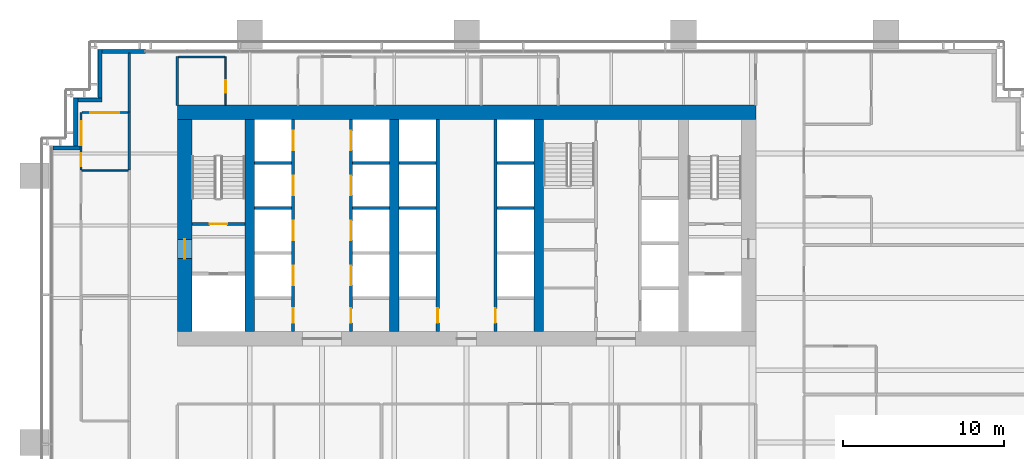
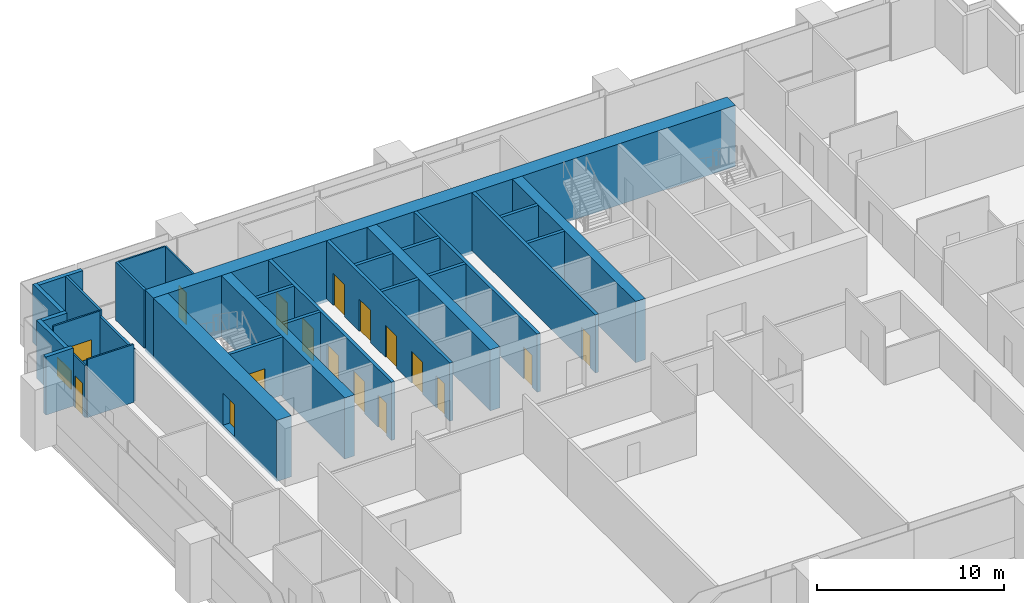
# One storey, part 14 of 19: 31 walls, 16 doors, 2 windows, 18 openings.
"""IFC4 building model written with IfcOpenShell, lengths in metres."""

from ifc_helpers import new_model, si_unit, direction, frame, frame_2d, origin, place, context, subcontext, project, spatial, rectangle, extrude, material, layer, layer_set, type_object, element, fill, save


model = new_model("IFC4")

# Units and contexts
model_context = context("Model", 3, precision=1e-05, world=origin(), true_north=direction((0.0, 1.0)))
body_context = subcontext(model_context, "Body", "Model", "MODEL_VIEW")
ifc_project = project(units=[si_unit("LENGTHUNIT", "METRE"), si_unit("AREAUNIT", "SQUARE_METRE"), si_unit("VOLUMEUNIT", "CUBIC_METRE"), si_unit("PLANEANGLEUNIT", "RADIAN"), si_unit("MASSUNIT", "GRAM", prefix="KILO")], contexts=[model_context])

# Site, building, storey
site_placement = place(None, origin())
site = spatial("IfcSite", under=ifc_project, at=site_placement, CompositionType="ELEMENT")
building_placement = place(site_placement, origin())
building = spatial("IfcBuilding", under=site, at=building_placement, Name="Rattan Terrace Tower", CompositionType="ELEMENT")
storey_placement = place(building_placement, frame((0.0, 0.0, 111.699951171875)))
storey = spatial("IfcBuildingStorey", under=building, at=storey_placement, Name="L25", CompositionType="ELEMENT", Elevation=111.699951171875)

# Wall, opening, door
ifc_material_1 = material(Name="Gypsum board partition")
ifc_layer_1 = layer(ifc_material_1, 0.199951171875)
ifc_layer_set_1 = layer_set([ifc_layer_1], Name="Core partition 200")
wall_type_1 = type_object("IfcWallType", Name="Core partition 200", PredefinedType="PARTITIONING", material=ifc_layer_set_1)
wall_1_placement = place(storey_placement, frame((-17.10009765625, 0.10009765625, 0.0), z_axis=(0.0, 0.0, 1.0), x_axis=(1.0, 0.0, 0.0)))
wall_1 = element("IfcWall", 1, at=wall_1_placement, inside=storey, type_object=wall_type_1, Name="Stair enclosure wall", PredefinedType="PARTITIONING", context=body_context, shape_type="SweptSolid", body=[
    extrude(rectangle(XDim=3.300048828125, YDim=0.199951171875, at=frame_2d((1.64990234375, 0.0))), origin(), (0.0, 0.0, 1.0), 3.800048828125),
])
opening_1_placement = place(wall_1_placement, frame((1.10009765625, 0.0, 0.0)))
opening_1 = element("IfcOpeningElement", 2, at=opening_1_placement, cuts=wall_1, Name="Opening L25-D002", PredefinedType="OPENING", context=body_context, shape_type="SweptSolid", body=[
    extrude(rectangle(XDim=1.10009765625, YDim=2.10009765625, at=frame_2d((0.550048828125, 1.050048828125))), frame((0.0, 0.110595703125, 0.0), z_axis=(0.0, -1.0, 0.0), x_axis=(1.0, 0.0, 0.0)), (0.0, 0.0, 1.0), 0.220947265625),
])
ifc_material_2 = material(Name="Hollow-metal fire door leaf")
door_type_1 = type_object("IfcDoorType", Name="Core stair door 1100", OperationType="NOTDEFINED", PredefinedType="DOOR", material=ifc_material_2)
door_1_placement = place(opening_1_placement, origin())
door_1 = element("IfcDoor", 3, at=door_1_placement, inside=storey, type_object=door_type_1, Name="Door L25-D002", OperationType="SINGLE_SWING_RIGHT", OverallHeight=2.10009765625, OverallWidth=1.10009765625, PredefinedType="DOOR", context=body_context, shape_type="SweptSolid", body=[
    extrude(rectangle(XDim=1.10009765625, YDim=2.10009765625, at=frame_2d((0.550048828125, 1.050048828125))), frame((0.0, 0.02490234375, 0.0), z_axis=(0.0, -1.0, 0.0), x_axis=(1.0, 0.0, 0.0)), (0.0, 0.0, 1.0), 0.050048828125),
])
fill(opening_1, door_1)

# Wall
ifc_material_3 = material(Name="Concrete C70/85", Category="concrete")
ifc_layer_2 = layer(ifc_material_3, 0.89990234375)
ifc_layer_set_2 = layer_set([ifc_layer_2], Name="Core ring wall 900 C70/85")
wall_type_2 = type_object("IfcWallType", Name="Core ring wall 900 C70/85", PredefinedType="SHEAR", material=ifc_layer_set_2)
wall_2_placement = place(storey_placement, frame((-18.0, 7.050048828125, -0.199951171875), z_axis=(0.0, 0.0, 1.0), x_axis=(1.0, 0.0, 0.0)))
element("IfcWall", 4, at=wall_2_placement, inside=storey, type_object=wall_type_2, Name="Rear core wall north", PredefinedType="SHEAR", context=body_context, shape_type="SweptSolid", body=[
    extrude(rectangle(XDim=36.0, YDim=0.89990234375, at=frame_2d((18.0, 0.0))), origin(), (0.0, 0.0, 1.0), 4.0),
])

# Wall, opening, door
wall_3_placement = place(storey_placement, frame((-17.550048828125, -6.60009765625, -0.199951171875), z_axis=(0.0, 0.0, 1.0), x_axis=(0.0, 1.0, 0.0)))
wall_3 = element("IfcWall", 5, at=wall_3_placement, inside=storey, type_object=wall_type_2, Name="Rear core wall west", PredefinedType="SHEAR", context=body_context, shape_type="SweptSolid", body=[
    extrude(rectangle(XDim=13.2001953125, YDim=0.89990234375, at=frame_2d((6.60009765625, 0.0))), origin(), (0.0, 0.0, 1.0), 4.0),
])
opening_2_placement = place(wall_3_placement, frame((4.550048828125, 0.0, 0.199951171875)))
opening_2 = element("IfcOpeningElement", 6, at=opening_2_placement, cuts=wall_3, Name="Opening L25-D001", PredefinedType="OPENING", context=body_context, shape_type="SweptSolid", body=[
    extrude(rectangle(XDim=1.199951171875, YDim=2.10009765625, at=frame_2d((0.60009765625, 1.050048828125))), frame((0.0, 0.46044921875, 0.0), z_axis=(0.0, -1.0, 0.0), x_axis=(1.0, 0.0, 0.0)), (0.0, 0.0, 1.0), 0.9208984375),
])
ifc_material_4 = material(Name="Hollow-metal fire door leaf")
door_type_2 = type_object("IfcDoorType", Name="Core fire-fighting lobby door 1200", OperationType="NOTDEFINED", PredefinedType="DOOR", material=ifc_material_4)
door_2_placement = place(opening_2_placement, origin())
door_2 = element("IfcDoor", 7, at=door_2_placement, inside=storey, type_object=door_type_2, Name="Door L25-D001", OperationType="SINGLE_SWING_LEFT", OverallHeight=2.10009765625, OverallWidth=1.199951171875, PredefinedType="DOOR", context=body_context, shape_type="SweptSolid", body=[
    extrude(rectangle(XDim=1.199951171875, YDim=2.10009765625, at=frame_2d((0.60009765625, 1.050048828125))), frame((0.0, 0.02490234375, 0.0), z_axis=(0.0, -1.0, 0.0), x_axis=(1.0, 0.0, 0.0)), (0.0, 0.0, 1.0), 0.050048828125),
])
fill(opening_2, door_2)

# Walls
ifc_material_5 = material(Name="Concrete C70/85", Category="concrete")
ifc_layer_3 = layer(ifc_material_5, 0.60009765625)
ifc_layer_set_3 = layer_set([ifc_layer_3], Name="Core spine wall 600 C70/85")
wall_type_3 = type_object("IfcWallType", Name="Core spine wall 600 C70/85", PredefinedType="SHEAR", material=ifc_layer_set_3)
for number, where, z_axis, x_axis, name in (
    (8, (-13.5, -6.60009765625, -0.199951171875), (0.0, 0.0, 1.0), (0.0, 1.0, 0.0), "Core spine wall 1"),
    (9, (-4.5, -6.60009765625, -0.199951171875), (0.0, 0.0, 1.0), (0.0, 1.0, 0.0), "Core spine wall 2"),
    (10, (4.5, -6.60009765625, -0.199951171875), (0.0, 0.0, 1.0), (0.0, 1.0, 0.0), "Core spine wall 3"),
):
    element("IfcWall", number, at=place(storey_placement, frame(where, z_axis=z_axis, x_axis=x_axis)), inside=storey, type_object=wall_type_3, Name=name, PredefinedType="SHEAR", context=body_context, shape_type="SweptSolid", body=[
        extrude(rectangle(XDim=13.2001953125, YDim=0.60009765625, at=frame_2d((6.60009765625, 0.0))), origin(), (0.0, 0.0, 1.0), 4.0),
    ])
ifc_material_6 = material(Name="Insulated aluminium-clad stud wall", Category="aluminium")
ifc_layer_4 = layer(ifc_material_6, 0.25)
ifc_layer_set_4 = layer_set([ifc_layer_4], Name="Facade Riser Wall 250")
wall_type_4 = type_object("IfcWallType", Name="Facade Riser Wall 250", PredefinedType="SOLIDWALL", material=ifc_layer_set_4)
wall_4_placement = place(storey_placement, frame((-20.0, 10.830078125, 0.0), z_axis=(0.0, 0.0, 1.0), x_axis=(-1.0, 0.0, 0.0)))
element("IfcWall", 11, at=wall_4_placement, inside=storey, type_object=wall_type_4, Name="Riser wall L25-11", PredefinedType="SOLIDWALL", context=body_context, shape_type="SweptSolid", body=[
    extrude(rectangle(XDim=2.705078125, YDim=0.25, at=frame_2d((1.3525390625, 0.0))), origin(), (0.0, 0.0, 1.0), 3.800048828125),
])
wall_5_placement = place(storey_placement, frame((-22.830078125, 10.955078125, 0.0), z_axis=(0.0, 0.0, 1.0), x_axis=(0.0, -1.0, 0.0)))
element("IfcWall", 12, at=wall_5_placement, inside=storey, type_object=wall_type_4, Name="Riser wall L25-12", PredefinedType="SOLIDWALL", context=body_context, shape_type="SweptSolid", body=[
    extrude(rectangle(XDim=3.0, YDim=0.25, at=frame_2d((1.5, 0.0))), origin(), (0.0, 0.0, 1.0), 3.800048828125),
])
wall_6_placement = place(storey_placement, frame((-22.705078125, 7.830078125, 0.0), z_axis=(0.0, 0.0, 1.0), x_axis=(-1.0, 0.0, 0.0)))
element("IfcWall", 13, at=wall_6_placement, inside=storey, type_object=wall_type_4, Name="Riser wall L25-13", PredefinedType="SOLIDWALL", context=body_context, shape_type="SweptSolid", body=[
    extrude(rectangle(XDim=1.5, YDim=0.25, at=frame_2d((0.75, 0.0))), origin(), (0.0, 0.0, 1.0), 3.800048828125),
])
wall_7_placement = place(storey_placement, frame((-24.330078125, 7.955078125, 0.0), z_axis=(0.0, 0.0, 1.0), x_axis=(0.0, -1.0, 0.0)))
element("IfcWall", 14, at=wall_7_placement, inside=storey, type_object=wall_type_4, Name="Riser wall L25-14", PredefinedType="SOLIDWALL", context=body_context, shape_type="SweptSolid", body=[
    extrude(rectangle(XDim=3.0, YDim=0.25, at=frame_2d((1.5, 0.0))), origin(), (0.0, 0.0, 1.0), 3.800048828125),
])
wall_8_placement = place(storey_placement, frame((-24.050048828125, 4.830078125, 0.0), z_axis=(0.0, 0.0, 1.0), x_axis=(-1.0, 0.0, 0.0)))
element("IfcWall", 15, at=wall_8_placement, inside=storey, type_object=wall_type_4, Name="Riser wall L25-15", PredefinedType="SOLIDWALL", context=body_context, shape_type="SweptSolid", body=[
    extrude(rectangle(XDim=1.699951171875, YDim=0.25, at=frame_2d((0.85009765625, 0.0))), origin(), (0.0, 0.0, 1.0), 3.800048828125),
])

# Wall, openings, door, window
ifc_material_7 = material(Name="Gypsum board partition on steel studs", Category="steel")
ifc_layer_5 = layer(ifc_material_7, 0.10009765625)
ifc_layer_set_5 = layer_set([ifc_layer_5], Name="Floors Partition 100")
wall_type_5 = type_object("IfcWallType", Name="Floors Partition 100", PredefinedType="PARTITIONING", material=ifc_layer_set_5)
wall_9_placement = place(storey_placement, frame((-24.0, 7.0400390625, 0.0), z_axis=(0.0, 0.0, 1.0), x_axis=(0.0, -1.0, 0.0)))
wall_9 = element("IfcWall", 16, at=wall_9_placement, inside=storey, type_object=wall_type_5, Name="pt-L25-039", PredefinedType="PARTITIONING", context=body_context, shape_type="SweptSolid", body=[
    extrude(rectangle(XDim=3.580078125, YDim=0.10009765625, at=frame_2d((1.7900390625, 0.0))), origin(), (0.0, 0.0, 1.0), 3.400146484375),
])
opening_3_placement = place(wall_9_placement, frame((2.530029296875, 0.0, 0.0)))
opening_3 = element("IfcOpeningElement", 17, at=opening_3_placement, cuts=wall_9, Name="Opening L25-D105", PredefinedType="OPENING", context=body_context, shape_type="SweptSolid", body=[
    extrude(rectangle(XDim=0.800048828125, YDim=2.10009765625, at=frame_2d((0.39990234375, 1.050048828125))), frame((0.0, 0.060546875, 0.0), z_axis=(0.0, -1.0, 0.0), x_axis=(1.0, 0.0, 0.0)), (0.0, 0.0, 1.0), 0.12109375),
])
opening_4_placement = place(wall_9_placement, frame((0.5400390625, 0.0, 0.89990234375)))
opening_4 = element("IfcOpeningElement", 18, at=opening_4_placement, cuts=wall_9, Name="Opening L25-W100", PredefinedType="OPENING", context=body_context, shape_type="SweptSolid", body=[
    extrude(rectangle(XDim=1.5, YDim=1.199951171875, at=frame_2d((0.75, 0.60009765625))), frame((0.0, 0.060546875, 0.0), z_axis=(0.0, -1.0, 0.0), x_axis=(1.0, 0.0, 0.0)), (0.0, 0.0, 1.0), 0.12109375),
])
ifc_material_8 = material(Name="Solid core timber door, painted", Category="wood")
door_type_3 = type_object("IfcDoorType", Name="Floors Store Door 800x2100", OperationType="NOTDEFINED", PredefinedType="DOOR", material=ifc_material_8)
door_3_placement = place(opening_3_placement, origin())
door_3 = element("IfcDoor", 19, at=door_3_placement, inside=storey, type_object=door_type_3, Name="d-L25-105", OperationType="SINGLE_SWING_RIGHT", OverallHeight=2.10009765625, OverallWidth=0.800048828125, PredefinedType="DOOR", context=body_context, shape_type="SweptSolid", body=[
    extrude(rectangle(XDim=0.800048828125, YDim=2.10009765625, at=frame_2d((0.39990234375, 1.050048828125))), frame((0.0, 0.02490234375, 0.0), z_axis=(0.0, -1.0, 0.0), x_axis=(1.0, 0.0, 0.0)), (0.0, 0.0, 1.0), 0.050048828125),
])
fill(opening_3, door_3)
ifc_material_9 = material(Name="Glass, clear, fixed in aluminium frame", Category="aluminium")
window_type_1 = type_object("IfcWindowType", Name="Interior Vision Window 1500x1200", PartitioningType="SINGLE_PANEL", PredefinedType="WINDOW", material=ifc_material_9)
window_1_placement = place(opening_4_placement, origin())
window_1 = element("IfcWindow", 20, at=window_1_placement, inside=storey, type_object=window_type_1, Name="w-L25-100", OverallHeight=1.199951171875, OverallWidth=1.5, PartitioningType="SINGLE_PANEL", PredefinedType="WINDOW", context=body_context, shape_type="SweptSolid", body=[
    extrude(rectangle(XDim=1.5, YDim=1.199951171875, at=frame_2d((0.75, 0.60009765625))), frame((0.0, 0.030029296875, 0.0), z_axis=(0.0, -1.0, 0.0), x_axis=(1.0, 0.0, 0.0)), (0.0, 0.0, 1.0), 0.06005859375),
])
fill(opening_4, window_1)

# Wall, opening, window
wall_10_placement = place(storey_placement, frame((-21.074951171875, 7.0400390625, 0.0), z_axis=(0.0, 0.0, 1.0), x_axis=(-1.0, 0.0, 0.0)))
wall_10 = element("IfcWall", 21, at=wall_10_placement, inside=storey, type_object=wall_type_5, Name="pt-L25-040", PredefinedType="PARTITIONING", context=body_context, shape_type="SweptSolid", body=[
    extrude(rectangle(XDim=2.875, YDim=0.10009765625, at=frame_2d((1.4375, 0.0))), origin(), (0.0, 0.0, 1.0), 3.800048828125),
])
opening_5_placement = place(wall_10_placement, frame((0.537109375, 0.0, 0.89990234375)))
opening_5 = element("IfcOpeningElement", 22, at=opening_5_placement, cuts=wall_10, Name="Opening L25-W101", PredefinedType="OPENING", context=body_context, shape_type="SweptSolid", body=[
    extrude(rectangle(XDim=1.800048828125, YDim=1.199951171875, at=frame_2d((0.89990234375, 0.60009765625))), frame((0.0, 0.060546875, 0.0), z_axis=(0.0, -1.0, 0.0), x_axis=(1.0, 0.0, 0.0)), (0.0, 0.0, 1.0), 0.12109375),
])
ifc_material_10 = material(Name="Glass, clear, fixed in aluminium frame", Category="aluminium")
window_type_2 = type_object("IfcWindowType", Name="Interior Vision Window 1800x1200", PartitioningType="SINGLE_PANEL", PredefinedType="WINDOW", material=ifc_material_10)
window_2_placement = place(opening_5_placement, origin())
window_2 = element("IfcWindow", 23, at=window_2_placement, inside=storey, type_object=window_type_2, Name="w-L25-101", OverallHeight=1.199951171875, OverallWidth=1.800048828125, PartitioningType="SINGLE_PANEL", PredefinedType="WINDOW", context=body_context, shape_type="SweptSolid", body=[
    extrude(rectangle(XDim=1.800048828125, YDim=1.199951171875, at=frame_2d((0.89990234375, 0.60009765625))), frame((0.0, 0.030029296875, 0.0), z_axis=(0.0, -1.0, 0.0), x_axis=(1.0, 0.0, 0.0)), (0.0, 0.0, 1.0), 0.06005859375),
])
fill(opening_5, window_2)

# Walls
for number, where, z_axis, x_axis, name in (
    (24, (-23.949951171875, 3.43994140625, 0.0), (0.0, 0.0, 1.0), (1.0, 0.0, 0.0), "pt-L25-043"),
    (25, (-15.050048828125, 10.5, 0.0), (0.0, 0.0, 1.0), (-1.0, 0.0, 0.0), "pt-L25-062"),
):
    element("IfcWall", number, at=place(storey_placement, frame(where, z_axis=z_axis, x_axis=x_axis)), inside=storey, type_object=wall_type_5, Name=name, PredefinedType="PARTITIONING", context=body_context, shape_type="SweptSolid", body=[
        extrude(rectangle(XDim=2.875, YDim=0.10009765625, at=frame_2d((1.4375, 0.0))), origin(), (0.0, 0.0, 1.0), 3.800048828125),
    ])

# Wall, opening, door
wall_11_placement = place(storey_placement, frame((-15.0, 7.5, 0.0), z_axis=(0.0, 0.0, 1.0), x_axis=(0.0, 1.0, 0.0)))
wall_11 = element("IfcWall", 26, at=wall_11_placement, inside=storey, type_object=wall_type_5, Name="pt-L25-063", PredefinedType="PARTITIONING", context=body_context, shape_type="SweptSolid", body=[
    extrude(rectangle(XDim=3.0, YDim=0.10009765625, at=frame_2d((1.5, 0.0))), origin(), (0.0, 0.0, 1.0), 3.800048828125),
])
opening_6_placement = place(wall_11_placement, frame((0.760009765625, 0.0, 0.0)))
opening_6 = element("IfcOpeningElement", 27, at=opening_6_placement, cuts=wall_11, Name="Opening L25-D117", PredefinedType="OPENING", context=body_context, shape_type="SweptSolid", body=[
    extrude(rectangle(XDim=0.800048828125, YDim=2.10009765625, at=frame_2d((0.39990234375, 1.050048828125))), frame((0.0, 0.060546875, 0.0), z_axis=(0.0, -1.0, 0.0), x_axis=(1.0, 0.0, 0.0)), (0.0, 0.0, 1.0), 0.12109375),
])
door_4_placement = place(opening_6_placement, origin())
door_4 = element("IfcDoor", 28, at=door_4_placement, inside=storey, type_object=door_type_3, Name="d-L25-117", OperationType="SINGLE_SWING_LEFT", OverallHeight=2.10009765625, OverallWidth=0.800048828125, PredefinedType="DOOR", context=body_context, shape_type="SweptSolid", body=[
    extrude(rectangle(XDim=0.800048828125, YDim=2.10009765625, at=frame_2d((0.39990234375, 1.050048828125))), frame((0.0, 0.02490234375, 0.0), z_axis=(0.0, -1.0, 0.0), x_axis=(1.0, 0.0, 0.0)), (0.0, 0.0, 1.0), 0.050048828125),
])
fill(opening_6, door_4)

# Walls
ifc_material_11 = material(Name="Gypsum board partition on steel studs, fire rated", Category="steel")
ifc_layer_6 = layer(ifc_material_11, 0.14990234375)
ifc_layer_set_6 = layer_set([ifc_layer_6], Name="Floors Tenancy Wall 150")
wall_type_6 = type_object("IfcWallType", Name="Floors Tenancy Wall 150", PredefinedType="PARTITIONING", material=ifc_layer_set_6)
wall_12_placement = place(storey_placement, frame((-21.0, 7.06005859375, 0.0), z_axis=(0.0, 0.0, 1.0), x_axis=(0.0, 1.0, 0.0)))
element("IfcWall", 29, at=wall_12_placement, inside=storey, type_object=wall_type_6, Name="pt-L25-001", PredefinedType="PARTITIONING", context=body_context, shape_type="SweptSolid", body=[
    extrude(rectangle(XDim=3.679931640625, YDim=0.14990234375, at=frame_2d((1.83984375, 0.0))), origin(), (0.0, 0.0, 1.0), 3.800048828125),
])
wall_13_placement = place(storey_placement, frame((-21.0, 3.4599609375, 0.0), z_axis=(0.0, 0.0, 1.0), x_axis=(0.0, 1.0, 0.0)))
element("IfcWall", 30, at=wall_13_placement, inside=storey, type_object=wall_type_6, Name="pt-L25-008", PredefinedType="PARTITIONING", context=body_context, shape_type="SweptSolid", body=[
    extrude(rectangle(XDim=3.60009765625, YDim=0.14990234375, at=frame_2d((1.800048828125, 0.0))), origin(), (0.0, 0.0, 1.0), 3.400146484375),
])
wall_14_placement = place(storey_placement, frame((-18.0, 10.52001953125, 0.0), z_axis=(0.0, 0.0, 1.0), x_axis=(0.0, -1.0, 0.0)))
element("IfcWall", 31, at=wall_14_placement, inside=storey, type_object=wall_type_6, Name="pt-L25-020", PredefinedType="PARTITIONING", context=body_context, shape_type="SweptSolid", body=[
    extrude(rectangle(XDim=3.0400390625, YDim=0.14990234375, at=frame_2d((1.52001953125, 0.0))), origin(), (0.0, 0.0, 1.0), 3.800048828125),
])

# Wall, openings, doors
ifc_material_12 = material(Name="Gypsum shaft wall system")
ifc_layer_7 = layer(ifc_material_12, 0.199951171875)
ifc_layer_set_7 = layer_set([ifc_layer_7], Name="Lift shaft wall 200")
wall_type_7 = type_object("IfcWallType", Name="Lift shaft wall 200", PredefinedType="PARTITIONING", material=ifc_layer_set_7)
wall_15_placement = place(storey_placement, frame((-10.800048828125, -6.60009765625, 0.0), z_axis=(0.0, 0.0, 1.0), x_axis=(0.0, 1.0, 0.0)))
wall_15 = element("IfcWall", 32, at=wall_15_placement, inside=storey, type_object=wall_type_7, Name="Lift shaft front wall", PredefinedType="PARTITIONING", context=body_context, shape_type="SweptSolid", body=[
    extrude(rectangle(XDim=13.2001953125, YDim=0.199951171875, at=frame_2d((6.60009765625, 0.0))), origin(), (0.0, 0.0, 1.0), 3.800048828125),
])
opening_7_placement = place(wall_15_placement, frame((0.550048828125, 0.0, 0.0)))
opening_7 = element("IfcOpeningElement", 33, at=opening_7_placement, cuts=wall_15, Name="Opening L25-D005", PredefinedType="OPENING", context=body_context, shape_type="SweptSolid", body=[
    extrude(rectangle(XDim=0.89990234375, YDim=2.10009765625, at=frame_2d((0.449951171875, 1.050048828125))), frame((0.0, 0.110595703125, 0.0), z_axis=(0.0, -1.0, 0.0), x_axis=(1.0, 0.0, 0.0)), (0.0, 0.0, 1.0), 0.220947265625),
])
opening_8_placement = place(wall_15_placement, frame((2.89990234375, 0.0, 0.0)))
opening_8 = element("IfcOpeningElement", 34, at=opening_8_placement, cuts=wall_15, Name="Opening L25-LD-LR1", PredefinedType="OPENING", context=body_context, shape_type="SweptSolid", body=[
    extrude(rectangle(XDim=1.199951171875, YDim=2.10009765625, at=frame_2d((0.60009765625, 1.050048828125))), frame((0.0, 0.110595703125, 0.0), z_axis=(0.0, -1.0, 0.0), x_axis=(1.0, 0.0, 0.0)), (0.0, 0.0, 1.0), 0.220947265625),
])
opening_9_placement = place(wall_15_placement, frame((5.699951171875, 0.0, 0.0)))
opening_9 = element("IfcOpeningElement", 35, at=opening_9_placement, cuts=wall_15, Name="Opening L25-LD-LR2", PredefinedType="OPENING", context=body_context, shape_type="SweptSolid", body=[
    extrude(rectangle(XDim=1.199951171875, YDim=2.10009765625, at=frame_2d((0.60009765625, 1.050048828125))), frame((0.0, 0.110595703125, 0.0), z_axis=(0.0, -1.0, 0.0), x_axis=(1.0, 0.0, 0.0)), (0.0, 0.0, 1.0), 0.220947265625),
])
opening_10_placement = place(wall_15_placement, frame((8.5, 0.0, 0.0)))
opening_10 = element("IfcOpeningElement", 36, at=opening_10_placement, cuts=wall_15, Name="Opening L25-LD-LR3", PredefinedType="OPENING", context=body_context, shape_type="SweptSolid", body=[
    extrude(rectangle(XDim=1.199951171875, YDim=2.10009765625, at=frame_2d((0.60009765625, 1.050048828125))), frame((0.0, 0.110595703125, 0.0), z_axis=(0.0, -1.0, 0.0), x_axis=(1.0, 0.0, 0.0)), (0.0, 0.0, 1.0), 0.220947265625),
])
opening_11_placement = place(wall_15_placement, frame((11.300048828125, 0.0, 0.0)))
opening_11 = element("IfcOpeningElement", 37, at=opening_11_placement, cuts=wall_15, Name="Opening L25-LD-LR4", PredefinedType="OPENING", context=body_context, shape_type="SweptSolid", body=[
    extrude(rectangle(XDim=1.199951171875, YDim=2.10009765625, at=frame_2d((0.60009765625, 1.050048828125))), frame((0.0, 0.110595703125, 0.0), z_axis=(0.0, -1.0, 0.0), x_axis=(1.0, 0.0, 0.0)), (0.0, 0.0, 1.0), 0.220947265625),
])
ifc_material_13 = material(Name="Brushed stainless landing door panel")
door_type_4 = type_object("IfcDoorType", Name="Core lift landing door 1200", OperationType="DOUBLE_DOOR_SLIDING", PredefinedType="DOOR", material=ifc_material_13)
door_5_placement = place(opening_8_placement, origin())
door_5 = element("IfcDoor", 38, at=door_5_placement, inside=storey, type_object=door_type_4, Name="Door L25-LD-LR1", OperationType="DOUBLE_DOOR_SLIDING", OverallHeight=2.10009765625, OverallWidth=1.199951171875, PredefinedType="DOOR", context=body_context, shape_type="SweptSolid", body=[
    extrude(rectangle(XDim=1.199951171875, YDim=2.10009765625, at=frame_2d((0.60009765625, 1.050048828125))), frame((0.0, 0.02490234375, 0.0), z_axis=(0.0, -1.0, 0.0), x_axis=(1.0, 0.0, 0.0)), (0.0, 0.0, 1.0), 0.050048828125),
])
fill(opening_8, door_5)
door_6_placement = place(opening_9_placement, origin())
door_6 = element("IfcDoor", 39, at=door_6_placement, inside=storey, type_object=door_type_4, Name="Door L25-LD-LR2", OperationType="DOUBLE_DOOR_SLIDING", OverallHeight=2.10009765625, OverallWidth=1.199951171875, PredefinedType="DOOR", context=body_context, shape_type="SweptSolid", body=[
    extrude(rectangle(XDim=1.199951171875, YDim=2.10009765625, at=frame_2d((0.60009765625, 1.050048828125))), frame((0.0, 0.02490234375, 0.0), z_axis=(0.0, -1.0, 0.0), x_axis=(1.0, 0.0, 0.0)), (0.0, 0.0, 1.0), 0.050048828125),
])
fill(opening_9, door_6)
door_7_placement = place(opening_10_placement, origin())
door_7 = element("IfcDoor", 40, at=door_7_placement, inside=storey, type_object=door_type_4, Name="Door L25-LD-LR3", OperationType="DOUBLE_DOOR_SLIDING", OverallHeight=2.10009765625, OverallWidth=1.199951171875, PredefinedType="DOOR", context=body_context, shape_type="SweptSolid", body=[
    extrude(rectangle(XDim=1.199951171875, YDim=2.10009765625, at=frame_2d((0.60009765625, 1.050048828125))), frame((0.0, 0.02490234375, 0.0), z_axis=(0.0, -1.0, 0.0), x_axis=(1.0, 0.0, 0.0)), (0.0, 0.0, 1.0), 0.050048828125),
])
fill(opening_10, door_7)
door_8_placement = place(opening_11_placement, origin())
door_8 = element("IfcDoor", 41, at=door_8_placement, inside=storey, type_object=door_type_4, Name="Door L25-LD-LR4", OperationType="DOUBLE_DOOR_SLIDING", OverallHeight=2.10009765625, OverallWidth=1.199951171875, PredefinedType="DOOR", context=body_context, shape_type="SweptSolid", body=[
    extrude(rectangle(XDim=1.199951171875, YDim=2.10009765625, at=frame_2d((0.60009765625, 1.050048828125))), frame((0.0, 0.02490234375, 0.0), z_axis=(0.0, -1.0, 0.0), x_axis=(1.0, 0.0, 0.0)), (0.0, 0.0, 1.0), 0.050048828125),
])
fill(opening_11, door_8)
ifc_material_14 = material(Name="Hollow-metal fire door leaf")
door_type_5 = type_object("IfcDoorType", Name="Core riser door 900", OperationType="NOTDEFINED", PredefinedType="DOOR", material=ifc_material_14)
door_9_placement = place(opening_7_placement, origin())
door_9 = element("IfcDoor", 42, at=door_9_placement, inside=storey, type_object=door_type_5, Name="Door L25-D005", OperationType="SINGLE_SWING_LEFT", OverallHeight=2.10009765625, OverallWidth=0.89990234375, PredefinedType="DOOR", context=body_context, shape_type="SweptSolid", body=[
    extrude(rectangle(XDim=0.89990234375, YDim=2.10009765625, at=frame_2d((0.449951171875, 1.050048828125))), frame((0.0, 0.02490234375, 0.0), z_axis=(0.0, -1.0, 0.0), x_axis=(1.0, 0.0, 0.0)), (0.0, 0.0, 1.0), 0.050048828125),
])
fill(opening_7, door_9)

wall_16_placement = place(storey_placement, frame((-7.199951171875, -6.60009765625, 0.0), z_axis=(0.0, 0.0, 1.0), x_axis=(0.0, 1.0, 0.0)))
wall_16 = element("IfcWall", 43, at=wall_16_placement, inside=storey, type_object=wall_type_7, Name="Lift shaft front wall", PredefinedType="PARTITIONING", context=body_context, shape_type="SweptSolid", body=[
    extrude(rectangle(XDim=13.2001953125, YDim=0.199951171875, at=frame_2d((6.60009765625, 0.0))), origin(), (0.0, 0.0, 1.0), 3.800048828125),
])
opening_12_placement = place(wall_16_placement, frame((0.550048828125, 0.0, 0.0)))
opening_12 = element("IfcOpeningElement", 44, at=opening_12_placement, cuts=wall_16, Name="Opening L25-D006", PredefinedType="OPENING", context=body_context, shape_type="SweptSolid", body=[
    extrude(rectangle(XDim=0.89990234375, YDim=2.10009765625, at=frame_2d((0.449951171875, 1.050048828125))), frame((0.0, 0.110595703125, 0.0), z_axis=(0.0, -1.0, 0.0), x_axis=(1.0, 0.0, 0.0)), (0.0, 0.0, 1.0), 0.220947265625),
])
opening_13_placement = place(wall_16_placement, frame((2.89990234375, 0.0, 0.0)))
opening_13 = element("IfcOpeningElement", 45, at=opening_13_placement, cuts=wall_16, Name="Opening L25-LD-LR5", PredefinedType="OPENING", context=body_context, shape_type="SweptSolid", body=[
    extrude(rectangle(XDim=1.199951171875, YDim=2.10009765625, at=frame_2d((0.60009765625, 1.050048828125))), frame((0.0, 0.110595703125, 0.0), z_axis=(0.0, -1.0, 0.0), x_axis=(1.0, 0.0, 0.0)), (0.0, 0.0, 1.0), 0.220947265625),
])
opening_14_placement = place(wall_16_placement, frame((5.699951171875, 0.0, 0.0)))
opening_14 = element("IfcOpeningElement", 46, at=opening_14_placement, cuts=wall_16, Name="Opening L25-LD-LR6", PredefinedType="OPENING", context=body_context, shape_type="SweptSolid", body=[
    extrude(rectangle(XDim=1.199951171875, YDim=2.10009765625, at=frame_2d((0.60009765625, 1.050048828125))), frame((0.0, 0.110595703125, 0.0), z_axis=(0.0, -1.0, 0.0), x_axis=(1.0, 0.0, 0.0)), (0.0, 0.0, 1.0), 0.220947265625),
])
opening_15_placement = place(wall_16_placement, frame((8.5, 0.0, 0.0)))
opening_15 = element("IfcOpeningElement", 47, at=opening_15_placement, cuts=wall_16, Name="Opening L25-LD-LR7", PredefinedType="OPENING", context=body_context, shape_type="SweptSolid", body=[
    extrude(rectangle(XDim=1.199951171875, YDim=2.10009765625, at=frame_2d((0.60009765625, 1.050048828125))), frame((0.0, 0.110595703125, 0.0), z_axis=(0.0, -1.0, 0.0), x_axis=(1.0, 0.0, 0.0)), (0.0, 0.0, 1.0), 0.220947265625),
])
opening_16_placement = place(wall_16_placement, frame((11.300048828125, 0.0, 0.0)))
opening_16 = element("IfcOpeningElement", 48, at=opening_16_placement, cuts=wall_16, Name="Opening L25-LD-LR8", PredefinedType="OPENING", context=body_context, shape_type="SweptSolid", body=[
    extrude(rectangle(XDim=1.199951171875, YDim=2.10009765625, at=frame_2d((0.60009765625, 1.050048828125))), frame((0.0, 0.110595703125, 0.0), z_axis=(0.0, -1.0, 0.0), x_axis=(1.0, 0.0, 0.0)), (0.0, 0.0, 1.0), 0.220947265625),
])
door_10_placement = place(opening_13_placement, origin())
door_10 = element("IfcDoor", 49, at=door_10_placement, inside=storey, type_object=door_type_4, Name="Door L25-LD-LR5", OperationType="DOUBLE_DOOR_SLIDING", OverallHeight=2.10009765625, OverallWidth=1.199951171875, PredefinedType="DOOR", context=body_context, shape_type="SweptSolid", body=[
    extrude(rectangle(XDim=1.199951171875, YDim=2.10009765625, at=frame_2d((0.60009765625, 1.050048828125))), frame((0.0, 0.02490234375, 0.0), z_axis=(0.0, -1.0, 0.0), x_axis=(1.0, 0.0, 0.0)), (0.0, 0.0, 1.0), 0.050048828125),
])
fill(opening_13, door_10)
door_11_placement = place(opening_14_placement, origin())
door_11 = element("IfcDoor", 50, at=door_11_placement, inside=storey, type_object=door_type_4, Name="Door L25-LD-LR6", OperationType="DOUBLE_DOOR_SLIDING", OverallHeight=2.10009765625, OverallWidth=1.199951171875, PredefinedType="DOOR", context=body_context, shape_type="SweptSolid", body=[
    extrude(rectangle(XDim=1.199951171875, YDim=2.10009765625, at=frame_2d((0.60009765625, 1.050048828125))), frame((0.0, 0.02490234375, 0.0), z_axis=(0.0, -1.0, 0.0), x_axis=(1.0, 0.0, 0.0)), (0.0, 0.0, 1.0), 0.050048828125),
])
fill(opening_14, door_11)
door_12_placement = place(opening_15_placement, origin())
door_12 = element("IfcDoor", 51, at=door_12_placement, inside=storey, type_object=door_type_4, Name="Door L25-LD-LR7", OperationType="DOUBLE_DOOR_SLIDING", OverallHeight=2.10009765625, OverallWidth=1.199951171875, PredefinedType="DOOR", context=body_context, shape_type="SweptSolid", body=[
    extrude(rectangle(XDim=1.199951171875, YDim=2.10009765625, at=frame_2d((0.60009765625, 1.050048828125))), frame((0.0, 0.02490234375, 0.0), z_axis=(0.0, -1.0, 0.0), x_axis=(1.0, 0.0, 0.0)), (0.0, 0.0, 1.0), 0.050048828125),
])
fill(opening_15, door_12)
door_13_placement = place(opening_16_placement, origin())
door_13 = element("IfcDoor", 52, at=door_13_placement, inside=storey, type_object=door_type_4, Name="Door L25-LD-LR8", OperationType="DOUBLE_DOOR_SLIDING", OverallHeight=2.10009765625, OverallWidth=1.199951171875, PredefinedType="DOOR", context=body_context, shape_type="SweptSolid", body=[
    extrude(rectangle(XDim=1.199951171875, YDim=2.10009765625, at=frame_2d((0.60009765625, 1.050048828125))), frame((0.0, 0.02490234375, 0.0), z_axis=(0.0, -1.0, 0.0), x_axis=(1.0, 0.0, 0.0)), (0.0, 0.0, 1.0), 0.050048828125),
])
fill(opening_16, door_13)
door_14_placement = place(opening_12_placement, origin())
door_14 = element("IfcDoor", 53, at=door_14_placement, inside=storey, type_object=door_type_5, Name="Door L25-D006", OperationType="SINGLE_SWING_RIGHT", OverallHeight=2.10009765625, OverallWidth=0.89990234375, PredefinedType="DOOR", context=body_context, shape_type="SweptSolid", body=[
    extrude(rectangle(XDim=0.89990234375, YDim=2.10009765625, at=frame_2d((0.449951171875, 1.050048828125))), frame((0.0, 0.02490234375, 0.0), z_axis=(0.0, -1.0, 0.0), x_axis=(1.0, 0.0, 0.0)), (0.0, 0.0, 1.0), 0.050048828125),
])
fill(opening_12, door_14)

# Walls
for number, where, z_axis, x_axis, name in (
    (54, (-13.199951171875, 1.10009765625, 0.0), (0.0, 0.0, 1.0), (1.0, 0.0, 0.0), "Lift shaft wall"),
    (55, (-13.199951171875, 3.89990234375, 0.0), (0.0, 0.0, 1.0), (1.0, 0.0, 0.0), "Lift shaft wall"),
    (56, (-7.10009765625, 1.10009765625, 0.0), (0.0, 0.0, 1.0), (1.0, 0.0, 0.0), "Lift shaft wall"),
    (57, (-7.10009765625, 3.89990234375, 0.0), (0.0, 0.0, 1.0), (1.0, 0.0, 0.0), "Lift shaft wall"),
):
    element("IfcWall", number, at=place(storey_placement, frame(where, z_axis=z_axis, x_axis=x_axis)), inside=storey, type_object=wall_type_7, Name=name, PredefinedType="PARTITIONING", context=body_context, shape_type="SweptSolid", body=[
        extrude(rectangle(XDim=2.300048828125, YDim=0.199951171875, at=frame_2d((1.14990234375, 0.0))), origin(), (0.0, 0.0, 1.0), 3.800048828125),
    ])

# Wall, opening, door
wall_17_placement = place(storey_placement, frame((-1.800048828125, -6.60009765625, 0.0), z_axis=(0.0, 0.0, 1.0), x_axis=(0.0, 1.0, 0.0)))
wall_17 = element("IfcWall", 58, at=wall_17_placement, inside=storey, type_object=wall_type_7, Name="Lift shaft front wall", PredefinedType="PARTITIONING", context=body_context, shape_type="SweptSolid", body=[
    extrude(rectangle(XDim=13.2001953125, YDim=0.199951171875, at=frame_2d((6.60009765625, 0.0))), origin(), (0.0, 0.0, 1.0), 3.800048828125),
])
opening_17_placement = place(wall_17_placement, frame((0.550048828125, 0.0, 0.0)))
opening_17 = element("IfcOpeningElement", 59, at=opening_17_placement, cuts=wall_17, Name="Opening L25-D008", PredefinedType="OPENING", context=body_context, shape_type="SweptSolid", body=[
    extrude(rectangle(XDim=0.89990234375, YDim=2.10009765625, at=frame_2d((0.449951171875, 1.050048828125))), frame((0.0, 0.110595703125, 0.0), z_axis=(0.0, -1.0, 0.0), x_axis=(1.0, 0.0, 0.0)), (0.0, 0.0, 1.0), 0.220947265625),
])
door_15_placement = place(opening_17_placement, origin())
door_15 = element("IfcDoor", 60, at=door_15_placement, inside=storey, type_object=door_type_5, Name="Door L25-D008", OperationType="SINGLE_SWING_LEFT", OverallHeight=2.10009765625, OverallWidth=0.89990234375, PredefinedType="DOOR", context=body_context, shape_type="SweptSolid", body=[
    extrude(rectangle(XDim=0.89990234375, YDim=2.10009765625, at=frame_2d((0.449951171875, 1.050048828125))), frame((0.0, 0.02490234375, 0.0), z_axis=(0.0, -1.0, 0.0), x_axis=(1.0, 0.0, 0.0)), (0.0, 0.0, 1.0), 0.050048828125),
])
fill(opening_17, door_15)

wall_18_placement = place(storey_placement, frame((1.800048828125, -6.60009765625, 0.0), z_axis=(0.0, 0.0, 1.0), x_axis=(0.0, 1.0, 0.0)))
wall_18 = element("IfcWall", 61, at=wall_18_placement, inside=storey, type_object=wall_type_7, Name="Lift shaft front wall", PredefinedType="PARTITIONING", context=body_context, shape_type="SweptSolid", body=[
    extrude(rectangle(XDim=13.2001953125, YDim=0.199951171875, at=frame_2d((6.60009765625, 0.0))), origin(), (0.0, 0.0, 1.0), 3.800048828125),
])
opening_18_placement = place(wall_18_placement, frame((0.550048828125, 0.0, 0.0)))
opening_18 = element("IfcOpeningElement", 62, at=opening_18_placement, cuts=wall_18, Name="Opening L25-D009", PredefinedType="OPENING", context=body_context, shape_type="SweptSolid", body=[
    extrude(rectangle(XDim=0.89990234375, YDim=2.10009765625, at=frame_2d((0.449951171875, 1.050048828125))), frame((0.0, 0.110595703125, 0.0), z_axis=(0.0, -1.0, 0.0), x_axis=(1.0, 0.0, 0.0)), (0.0, 0.0, 1.0), 0.220947265625),
])
door_16_placement = place(opening_18_placement, origin())
door_16 = element("IfcDoor", 63, at=door_16_placement, inside=storey, type_object=door_type_5, Name="Door L25-D009", OperationType="SINGLE_SWING_RIGHT", OverallHeight=2.10009765625, OverallWidth=0.89990234375, PredefinedType="DOOR", context=body_context, shape_type="SweptSolid", body=[
    extrude(rectangle(XDim=0.89990234375, YDim=2.10009765625, at=frame_2d((0.449951171875, 1.050048828125))), frame((0.0, 0.02490234375, 0.0), z_axis=(0.0, -1.0, 0.0), x_axis=(1.0, 0.0, 0.0)), (0.0, 0.0, 1.0), 0.050048828125),
])
fill(opening_18, door_16)

# Walls
for number, where, z_axis, x_axis, name in (
    (64, (-4.199951171875, 1.10009765625, 0.0), (0.0, 0.0, 1.0), (1.0, 0.0, 0.0), "Lift shaft wall"),
    (65, (-4.199951171875, 3.89990234375, 0.0), (0.0, 0.0, 1.0), (1.0, 0.0, 0.0), "Lift shaft wall"),
    (66, (1.89990234375, 1.10009765625, 0.0), (0.0, 0.0, 1.0), (1.0, 0.0, 0.0), "Lift shaft wall"),
    (67, (1.89990234375, 3.89990234375, 0.0), (0.0, 0.0, 1.0), (1.0, 0.0, 0.0), "Lift shaft wall"),
):
    element("IfcWall", number, at=place(storey_placement, frame(where, z_axis=z_axis, x_axis=x_axis)), inside=storey, type_object=wall_type_7, Name=name, PredefinedType="PARTITIONING", context=body_context, shape_type="SweptSolid", body=[
        extrude(rectangle(XDim=2.300048828125, YDim=0.199951171875, at=frame_2d((1.14990234375, 0.0))), origin(), (0.0, 0.0, 1.0), 3.800048828125),
    ])

save(model, "model.ifc")
